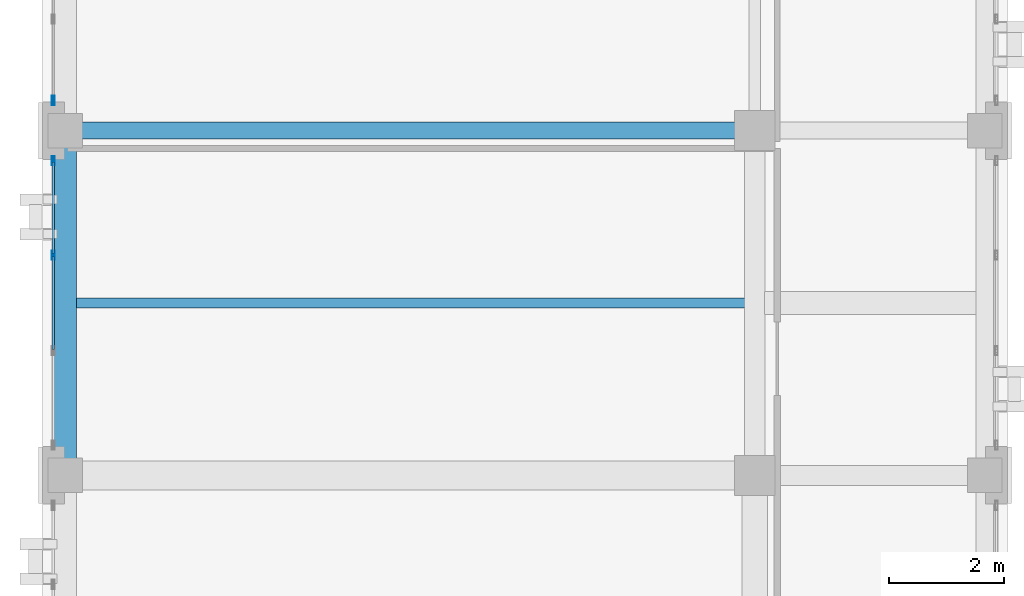
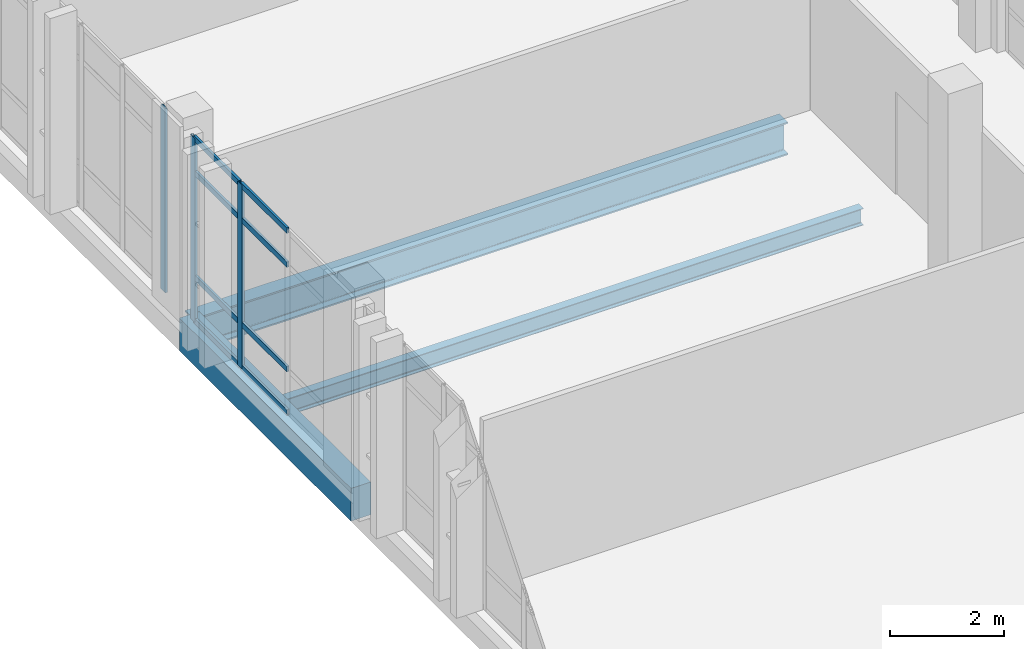
# One storey, part 29 of 90: 11 members, 3 beams, 2 elements without a shape of their own.
"""IFC4 building model written with IfcOpenShell, lengths in metres."""

from ifc_helpers import new_model, si_unit, direction, frame, origin, origin_2d, place, context, subcontext, project, spatial, rectangle, hollow_rectangle, i_section, extrude, material, layer, layer_set, material_profile, profile_set, type_object, element, aggregate, save


model = new_model("IFC4")

# Units and contexts
model_context = context("Model", 3, precision=1e-05, world=origin(), true_north=direction((0.0, 1.0)))
body_context = subcontext(model_context, "Body", "Model", "MODEL_VIEW")
ifc_project = project(units=[si_unit("LENGTHUNIT", "METRE"), si_unit("AREAUNIT", "SQUARE_METRE"), si_unit("VOLUMEUNIT", "CUBIC_METRE"), si_unit("PLANEANGLEUNIT", "RADIAN"), si_unit("MASSUNIT", "GRAM", prefix="KILO")], contexts=[model_context])

# Site, building, storey
site_placement = place(None, origin())
site = spatial("IfcSite", under=ifc_project, at=site_placement, CompositionType="ELEMENT")
building_placement = place(site_placement, origin())
building = spatial("IfcBuilding", under=site, at=building_placement, Name="Qalavern Law Courts", CompositionType="ELEMENT")
storey_placement = place(building_placement, frame((0.0, 0.0, 22.800048828125)))
storey = spatial("IfcBuildingStorey", under=building, at=storey_placement, Name="L05", CompositionType="ELEMENT", Elevation=22.800048828125)

# Curtain wall, member
ifc_material_1 = material(Name="Anodised aluminium and insulated glazing", Category="aluminium")
ifc_layer = layer(ifc_material_1, 0.159912109375)
ifc_layer_set = layer_set([ifc_layer], Name="Anodised aluminium and insulated glazing")
curtain_wall_type = type_object("IfcCurtainWallType", Name="ENV-CW-CHAMB", PredefinedType="USERDEFINED", material=ifc_layer_set)
curtain_wall_1_placement = place(storey_placement, origin())
curtain_wall_1 = element("IfcCurtainWall", 1, at=curtain_wall_1_placement, inside=storey, type_object=curtain_wall_type, Name="V3 unitised curtain wall L05 west 2", ObjectType="UNITISED CURTAIN WALL", PredefinedType="USERDEFINED")
ifc_material_2 = material(Name="Anodised aluminium", Category="aluminium")
ifc_material_profile_1 = material_profile(ifc_material_2, hollow_rectangle(XDim=0.048095703125, YDim=0.159912109375, WallThickness=0.00390625, at=origin_2d()), Name="ALU MULLION 48x160")
ifc_profile_set_1 = profile_set([ifc_material_profile_1], Name="Anodised aluminium")
member_type_1 = type_object("IfcMemberType", Name="ENV-CWM-48x160", PredefinedType="MULLION", material=ifc_profile_set_1)
member_1_placement = place(storey_placement, frame((2.1923828125, 79.924072265625, 0.0), z_axis=(0.0, 0.0, 1.0), x_axis=(1.0, 0.0, 0.0)))
member_1 = element("IfcMember", 2, at=member_1_placement, type_object=member_type_1, Name="CW-04 mullion 6", PredefinedType="MULLION", context=body_context, shape_type="SweptSolid", body=[
    extrude(hollow_rectangle(XDim=0.048095703125, YDim=0.159912109375, WallThickness=0.00390625, at=origin_2d()), origin(), (0.0, 0.0, 1.0), 3.929931640625),
])
aggregate(curtain_wall_1, [member_1])

# Curtain wall, members
curtain_wall_2_placement = place(storey_placement, origin())
curtain_wall_2 = element("IfcCurtainWall", 3, at=curtain_wall_2_placement, inside=storey, type_object=curtain_wall_type, Name="V3 unitised curtain wall L05 west 3", ObjectType="UNITISED CURTAIN WALL", PredefinedType="USERDEFINED")
member_2_placement = place(storey_placement, frame((2.1923828125, 78.8759765625, 0.0), z_axis=(0.0, 0.0, 1.0), x_axis=(1.0, 0.0, 0.0)))
member_2 = element("IfcMember", 4, at=member_2_placement, type_object=member_type_1, Name="CW-04 mullion 1", PredefinedType="MULLION", context=body_context, shape_type="SweptSolid", body=[
    extrude(hollow_rectangle(XDim=0.048095703125, YDim=0.159912109375, WallThickness=0.00390625, at=origin_2d()), origin(), (0.0, 0.0, 1.0), 3.929931640625),
])
member_3_placement = place(storey_placement, frame((2.1923828125, 77.2333984375, 0.0), z_axis=(0.0, 0.0, 1.0), x_axis=(1.0, 0.0, 0.0)))
member_3 = element("IfcMember", 5, at=member_3_placement, type_object=member_type_1, Name="CW-04 mullion 2", PredefinedType="MULLION", context=body_context, shape_type="SweptSolid", body=[
    extrude(hollow_rectangle(XDim=0.048095703125, YDim=0.159912109375, WallThickness=0.00390625, at=origin_2d()), origin(), (0.0, 0.0, 1.0), 3.929931640625),
])
ifc_material_profile_2 = material_profile(ifc_material_2, hollow_rectangle(XDim=0.048095703125, YDim=0.1201171875, WallThickness=0.00390625, at=origin_2d()), Name="ALU TRANSOM 48x120")
ifc_profile_set_2 = profile_set([ifc_material_profile_2], Name="Anodised aluminium")
member_type_2 = type_object("IfcMemberType", Name="ENV-CWT-48x120", PredefinedType="USERDEFINED", material=ifc_profile_set_2)
member_4_placement = place(storey_placement, frame((2.1923828125, 78.85205078125, 0.02392578125), z_axis=(0.0, -1.0, 0.0), x_axis=(1.0, 0.0, 0.0)))
member_4 = element("IfcMember", 6, at=member_4_placement, type_object=member_type_2, Name="CW-04 transom 1.1", ObjectType="TRANSOM", PredefinedType="USERDEFINED", context=body_context, shape_type="SweptSolid", body=[
    extrude(hollow_rectangle(XDim=0.048095703125, YDim=0.1201171875, WallThickness=0.00390625, at=origin_2d()), origin(), (0.0, 0.0, 1.0), 1.5947265625),
])
member_5_placement = place(storey_placement, frame((2.1923828125, 78.85205078125, 0.949951171875), z_axis=(0.0, -1.0, 0.0), x_axis=(1.0, 0.0, 0.0)))
member_5 = element("IfcMember", 7, at=member_5_placement, type_object=member_type_2, Name="CW-04 transom 1.2", ObjectType="TRANSOM", PredefinedType="USERDEFINED", context=body_context, shape_type="SweptSolid", body=[
    extrude(hollow_rectangle(XDim=0.048095703125, YDim=0.1201171875, WallThickness=0.00390625, at=origin_2d()), origin(), (0.0, 0.0, 1.0), 1.5947265625),
])
member_6_placement = place(storey_placement, frame((2.1923828125, 78.85205078125, 3.179931640625), z_axis=(0.0, -1.0, 0.0), x_axis=(1.0, 0.0, 0.0)))
member_6 = element("IfcMember", 8, at=member_6_placement, type_object=member_type_2, Name="CW-04 transom 1.3", ObjectType="TRANSOM", PredefinedType="USERDEFINED", context=body_context, shape_type="SweptSolid", body=[
    extrude(hollow_rectangle(XDim=0.048095703125, YDim=0.1201171875, WallThickness=0.00390625, at=origin_2d()), origin(), (0.0, 0.0, 1.0), 1.5947265625),
])
member_7_placement = place(storey_placement, frame((2.1923828125, 78.85205078125, 3.906005859375), z_axis=(0.0, -1.0, 0.0), x_axis=(1.0, 0.0, 0.0)))
member_7 = element("IfcMember", 9, at=member_7_placement, type_object=member_type_2, Name="CW-04 transom 1.4", ObjectType="TRANSOM", PredefinedType="USERDEFINED", context=body_context, shape_type="SweptSolid", body=[
    extrude(hollow_rectangle(XDim=0.048095703125, YDim=0.1201171875, WallThickness=0.00390625, at=origin_2d()), origin(), (0.0, 0.0, 1.0), 1.5947265625),
])
member_8_placement = place(storey_placement, frame((2.1923828125, 77.209228515625, 0.02392578125), z_axis=(0.0, -1.0, 0.0), x_axis=(1.0, 0.0, 0.0)))
member_8 = element("IfcMember", 10, at=member_8_placement, type_object=member_type_2, Name="CW-04 transom 2.1", ObjectType="TRANSOM", PredefinedType="USERDEFINED", context=body_context, shape_type="SweptSolid", body=[
    extrude(hollow_rectangle(XDim=0.048095703125, YDim=0.1201171875, WallThickness=0.00390625, at=origin_2d()), origin(), (0.0, 0.0, 1.0), 1.61865234375),
])
member_9_placement = place(storey_placement, frame((2.1923828125, 77.209228515625, 0.949951171875), z_axis=(0.0, -1.0, 0.0), x_axis=(1.0, 0.0, 0.0)))
member_9 = element("IfcMember", 11, at=member_9_placement, type_object=member_type_2, Name="CW-04 transom 2.2", ObjectType="TRANSOM", PredefinedType="USERDEFINED", context=body_context, shape_type="SweptSolid", body=[
    extrude(hollow_rectangle(XDim=0.048095703125, YDim=0.1201171875, WallThickness=0.00390625, at=origin_2d()), origin(), (0.0, 0.0, 1.0), 1.61865234375),
])
member_10_placement = place(storey_placement, frame((2.1923828125, 77.209228515625, 3.179931640625), z_axis=(0.0, -1.0, 0.0), x_axis=(1.0, 0.0, 0.0)))
member_10 = element("IfcMember", 12, at=member_10_placement, type_object=member_type_2, Name="CW-04 transom 2.3", ObjectType="TRANSOM", PredefinedType="USERDEFINED", context=body_context, shape_type="SweptSolid", body=[
    extrude(hollow_rectangle(XDim=0.048095703125, YDim=0.1201171875, WallThickness=0.00390625, at=origin_2d()), origin(), (0.0, 0.0, 1.0), 1.61865234375),
])
member_11_placement = place(storey_placement, frame((2.1923828125, 77.209228515625, 3.906005859375), z_axis=(0.0, -1.0, 0.0), x_axis=(1.0, 0.0, 0.0)))
member_11 = element("IfcMember", 13, at=member_11_placement, type_object=member_type_2, Name="CW-04 transom 2.4", ObjectType="TRANSOM", PredefinedType="USERDEFINED", context=body_context, shape_type="SweptSolid", body=[
    extrude(hollow_rectangle(XDim=0.048095703125, YDim=0.1201171875, WallThickness=0.00390625, at=origin_2d()), origin(), (0.0, 0.0, 1.0), 1.61865234375),
])
aggregate(curtain_wall_2, [member_2, member_3, member_4, member_5, member_6, member_7, member_8, member_9, member_10, member_11])

# Beams
ifc_material_3 = material(Name="Steel S355", Category="steel")
ifc_material_profile_3 = material_profile(ifc_material_3, i_section(OverallWidth=0.300048828125, OverallDepth=0.699951171875, WebThickness=0.01708984375, FlangeThickness=0.031982421875, FilletRadius=0.027099609375, at=origin_2d()), Name="HEB 700")
ifc_profile_set_3 = profile_set([ifc_material_profile_3], Name="Steel S355")
beam_type_1 = type_object("IfcBeamType", Name="STR-BM-HEB700", PredefinedType="BEAM", material=ifc_profile_set_3)
beam_1_placement = place(storey_placement, frame((2.39990234375, 79.39990234375, -0.625), z_axis=(1.0, 0.0, 0.0), x_axis=(0.0, 1.0, 0.0)))
element("IfcBeam", 14, at=beam_1_placement, inside=storey, type_object=beam_type_1, Name="V3 X-beam 6-1 L05", PredefinedType="BEAM", context=body_context, shape_type="SweptSolid", body=[
    extrude(i_section(OverallWidth=0.300048828125, OverallDepth=0.699951171875, WebThickness=0.01708984375, FlangeThickness=0.031982421875, FilletRadius=0.027099609375, at=origin_2d()), origin(), (0.0, 0.0, 1.0), 12.0),
])
ifc_material_profile_4 = material_profile(ifc_material_3, i_section(OverallWidth=0.169921875, OverallDepth=0.360107421875, WebThickness=0.008056640625, FlangeThickness=0.0126953125, FilletRadius=0.01806640625, at=origin_2d()), Name="IPE 360")
ifc_profile_set_4 = profile_set([ifc_material_profile_4], Name="Steel S355")
beam_type_2 = type_object("IfcBeamType", Name="STR-JST-IPE360", PredefinedType="JOIST", material=ifc_profile_set_4)
beam_2_placement = place(storey_placement, frame((2.597900390625, 76.39990234375, -0.455078125), z_axis=(1.0, 0.0, 0.0), x_axis=(0.0, 1.0, 0.0)))
element("IfcBeam", 15, at=beam_2_placement, inside=storey, type_object=beam_type_2, Name="V3 secondary joist 1.5.1 L05", PredefinedType="JOIST", context=body_context, shape_type="SweptSolid", body=[
    extrude(i_section(OverallWidth=0.169921875, OverallDepth=0.360107421875, WebThickness=0.008056640625, FlangeThickness=0.0126953125, FilletRadius=0.01806640625, at=origin_2d()), origin(), (0.0, 0.0, 1.0), 11.629150390625),
])
ifc_material_4 = material(Name="Concrete C40/50", Category="concrete")
ifc_material_profile_5 = material_profile(ifc_material_4, rectangle(XDim=0.39990234375, YDim=0.699951171875, at=origin_2d()), Name="RC 400x700")
ifc_profile_set_5 = profile_set([ifc_material_profile_5], Name="Concrete C40/50")
beam_type_3 = type_object("IfcBeamType", Name="STR-SP-RC400x700", PredefinedType="SPANDREL", material=ifc_profile_set_5)
beam_3_placement = place(storey_placement, frame((2.39990234375, 73.39990234375, -0.625), z_axis=(0.0, 1.0, 0.0), x_axis=(-1.0, 0.0, 0.0)))
element("IfcBeam", 16, at=beam_3_placement, inside=storey, type_object=beam_type_3, Name="V3 Y-beam 1-5 L05", PredefinedType="SPANDREL", context=body_context, shape_type="SweptSolid", body=[
    extrude(rectangle(XDim=0.39990234375, YDim=0.699951171875, at=origin_2d()), origin(), (0.0, 0.0, 1.0), 6.0),
])

save(model, "model.ifc")
